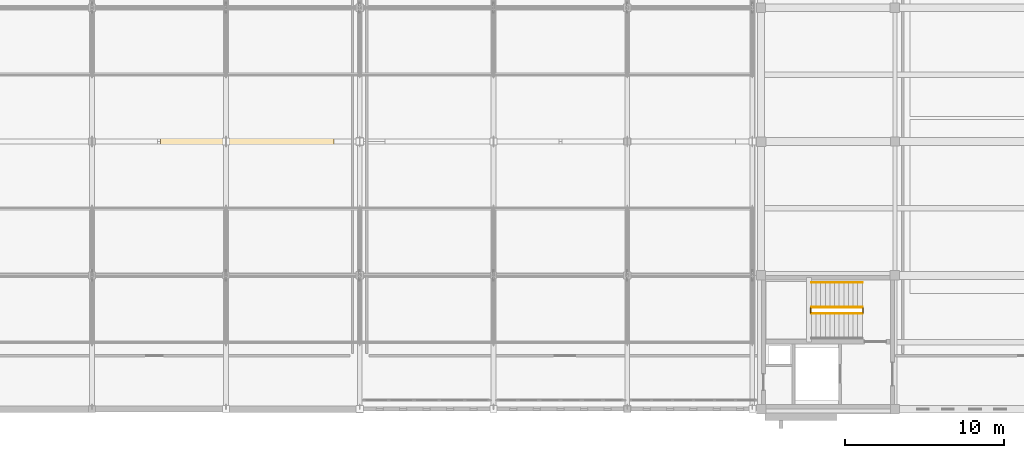
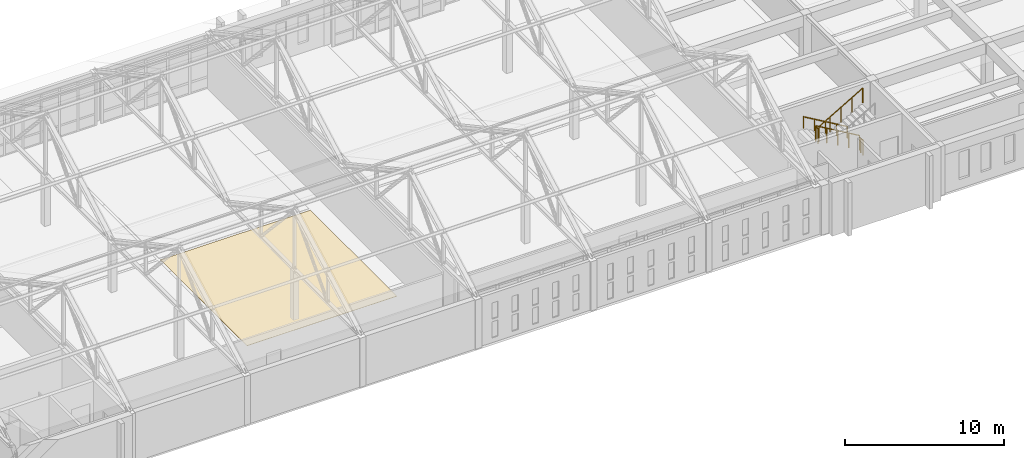
# One storey, part 105 of 110: 5 railings, 1 covering.
"""IFC4 building model written with IfcOpenShell, lengths in metres."""

from ifc_helpers import new_model, si_unit, direction, frame, origin, origin_2d, place, context, subcontext, project, spatial, rectangle, circle, extrude, material, layer, layer_set, type_object, element, save


model = new_model("IFC4")

# Units and contexts
model_context = context("Model", 3, precision=1e-05, world=origin(), true_north=direction((0.0, 1.0)))
body_context = subcontext(model_context, "Body", "Model", "MODEL_VIEW")
ifc_project = project(units=[si_unit("LENGTHUNIT", "METRE"), si_unit("AREAUNIT", "SQUARE_METRE"), si_unit("VOLUMEUNIT", "CUBIC_METRE"), si_unit("PLANEANGLEUNIT", "RADIAN"), si_unit("MASSUNIT", "GRAM", prefix="KILO")], contexts=[model_context])

# Site, building, storey
site_placement = place(None, origin())
site = spatial("IfcSite", under=ifc_project, at=site_placement, CompositionType="ELEMENT")
building_placement = place(site_placement, origin())
building = spatial("IfcBuilding", under=site, at=building_placement, Name="Kveldsbrygga Polytechnic", CompositionType="ELEMENT")
storey_placement = place(building_placement, frame((0.0, 0.0, 9.860107421875)))
storey = spatial("IfcBuildingStorey", under=building, at=storey_placement, Name="L02", CompositionType="ELEMENT", Elevation=9.860107421875)

# Covering
ifc_material_1 = material(Name="Acoustic oak timber flooring", Category="wood")
ifc_layer = layer(ifc_material_1, 0.02197265625)
ifc_layer_set = layer_set([ifc_layer], Name="Acoustic oak timber flooring")
covering_type = type_object("IfcCoveringType", Name="COV-FLR-OAK22", PredefinedType="FLOORING", material=ifc_layer_set)
covering_placement = place(storey_placement, frame((68.550048828125, 96.72509765625, 0.0), z_axis=(0.0, 0.0, 1.0), x_axis=(1.0, 0.0, 0.0)))
element("IfcCovering", 1, at=covering_placement, inside=storey, type_object=covering_type, Name="Room Flooring SP-L02-SEM21-ES", PredefinedType="FLOORING", context=body_context, shape_type="SweptSolid", body=[
    extrude(rectangle(XDim=10.89990234375, YDim=10.89990234375, at=origin_2d()), origin(), (0.0, 0.0, 1.0), 0.02197265625),
])

# Railings
ifc_material_2 = material(Name="Steel S355", Category="steel")
railing_type_1 = type_object("IfcRailingType", Name="RL-STAIR-GRD", PredefinedType="GUARDRAIL", material=ifc_material_2)
railing_1_placement = place(storey_placement, frame((107.14990234375, 90.39990234375, 0.169921875)))
element("IfcRailing", 2, at=railing_1_placement, inside=storey, type_object=railing_type_1, Name="L02 ST-5 stair guard 1", PredefinedType="GUARDRAIL", context=body_context, shape_type="SweptSolid", body=[
    extrude(circle(Radius=0.02392578125, at=origin_2d()), frame((0.0, 0.0, 1.1259765625), z_axis=(-0.86270889649, 0.0, 0.505700860111), x_axis=(0.0, -1.0, 0.0)), (0.0, 0.0, 1.0), 3.697509765625),
    extrude(circle(Radius=0.02099609375, at=origin_2d()), origin(), (0.0, 0.0, 1.0), 1.097900390625),
    extrude(circle(Radius=0.02099609375, at=origin_2d()), frame((-0.79736328125, 0.0, 0.467529296875)), (0.0, 0.0, 1.0), 1.097900390625),
    extrude(circle(Radius=0.02099609375, at=origin_2d()), frame((-1.594970703125, 0.0, 0.93505859375)), (0.0, 0.0, 1.0), 1.097900390625),
    extrude(circle(Radius=0.02099609375, at=origin_2d()), frame((-2.392578125, 0.0, 1.40234375)), (0.0, 0.0, 1.0), 1.097900390625),
    extrude(circle(Radius=0.02099609375, at=origin_2d()), frame((-3.18994140625, 0.0, 1.869873046875)), (0.0, 0.0, 1.0), 1.097900390625),
])
railing_2_placement = place(storey_placement, frame((103.909912109375, 90.35009765625, 2.039794921875)))
element("IfcRailing", 3, at=railing_2_placement, inside=storey, type_object=railing_type_1, Name="L02 ST-5 stair guard 2", PredefinedType="GUARDRAIL", context=body_context, shape_type="SweptSolid", body=[
    extrude(circle(Radius=0.02392578125, at=origin_2d()), frame((0.0, 0.0, 1.1259765625), z_axis=(0.0, -1.0, 0.0), x_axis=(1.0, 0.0, 0.0)), (0.0, 0.0, 1.0), 0.300048828125),
    extrude(circle(Radius=0.02099609375, at=origin_2d()), origin(), (0.0, 0.0, 1.0), 1.097900390625),
    extrude(circle(Radius=0.02099609375, at=origin_2d()), frame((0.0, -0.300048828125, 0.0)), (0.0, 0.0, 1.0), 1.097900390625),
])
railing_3_placement = place(storey_placement, frame((103.9599609375, 90.0, 2.2099609375)))
element("IfcRailing", 4, at=railing_3_placement, inside=storey, type_object=railing_type_1, Name="L02 ST-5 stair guard 3", PredefinedType="GUARDRAIL", context=body_context, shape_type="SweptSolid", body=[
    extrude(circle(Radius=0.02392578125, at=origin_2d()), frame((0.0, 0.0, 1.1259765625), z_axis=(0.86270889649, 0.0, 0.505700860111), x_axis=(0.0, 1.0, 0.0)), (0.0, 0.0, 1.0), 3.697509765625),
    extrude(circle(Radius=0.02099609375, at=origin_2d()), origin(), (0.0, 0.0, 1.0), 1.097900390625),
    extrude(circle(Radius=0.02099609375, at=origin_2d()), frame((0.79736328125, 0.0, 0.467529296875)), (0.0, 0.0, 1.0), 1.097900390625),
    extrude(circle(Radius=0.02099609375, at=origin_2d()), frame((1.594970703125, 0.0, 0.93505859375)), (0.0, 0.0, 1.0), 1.097900390625),
    extrude(circle(Radius=0.02099609375, at=origin_2d()), frame((2.392578125, 0.0, 1.40234375)), (0.0, 0.0, 1.0), 1.097900390625),
    extrude(circle(Radius=0.02099609375, at=origin_2d()), frame((3.18994140625, 0.0, 1.869873046875)), (0.0, 0.0, 1.0), 1.097900390625),
])
railing_4_placement = place(storey_placement, frame((107.199951171875, 90.35009765625, 0.0)))
element("IfcRailing", 5, at=railing_4_placement, inside=storey, type_object=railing_type_1, Name="L02 ST-5 stair guard 4", PredefinedType="GUARDRAIL", context=body_context, shape_type="SweptSolid", body=[
    extrude(circle(Radius=0.02392578125, at=origin_2d()), frame((0.0, 0.0, 1.1259765625), z_axis=(0.0, -1.0, 0.0), x_axis=(1.0, 0.0, 0.0)), (0.0, 0.0, 1.0), 0.300048828125),
    extrude(circle(Radius=0.02099609375, at=origin_2d()), origin(), (0.0, 0.0, 1.0), 1.097900390625),
    extrude(circle(Radius=0.02099609375, at=origin_2d()), frame((0.0, -0.300048828125, 0.0)), (0.0, 0.0, 1.0), 1.097900390625),
])
railing_type_2 = type_object("IfcRailingType", Name="RL-STAIR-HND", PredefinedType="HANDRAIL", material=ifc_material_2)
railing_5_placement = place(storey_placement, frame((107.14990234375, 91.949951171875, 0.169921875)))
element("IfcRailing", 6, at=railing_5_placement, inside=storey, type_object=railing_type_2, Name="L02 ST-5 stair handrail 1", PredefinedType="HANDRAIL", context=body_context, shape_type="SweptSolid", body=[
    extrude(circle(Radius=0.02392578125, at=origin_2d()), frame((0.0, 0.0, 0.8759765625), z_axis=(-0.86270889649, 0.0, 0.505700860111), x_axis=(0.0, -1.0, 0.0)), (0.0, 0.0, 1.0), 3.697509765625),
    extrude(circle(Radius=0.02099609375, at=origin_2d()), origin(), (0.0, 0.0, 1.0), 0.847900390625),
    extrude(circle(Radius=0.02099609375, at=origin_2d()), frame((-0.79736328125, 0.0, 0.467529296875)), (0.0, 0.0, 1.0), 0.847900390625),
    extrude(circle(Radius=0.02099609375, at=origin_2d()), frame((-1.594970703125, 0.0, 0.93505859375)), (0.0, 0.0, 1.0), 0.847900390625),
    extrude(circle(Radius=0.02099609375, at=origin_2d()), frame((-2.392578125, 0.0, 1.40234375)), (0.0, 0.0, 1.0), 0.847900390625),
    extrude(circle(Radius=0.02099609375, at=origin_2d()), frame((-3.18994140625, 0.0, 1.869873046875)), (0.0, 0.0, 1.0), 0.847900390625),
])

save(model, "model.ifc")
